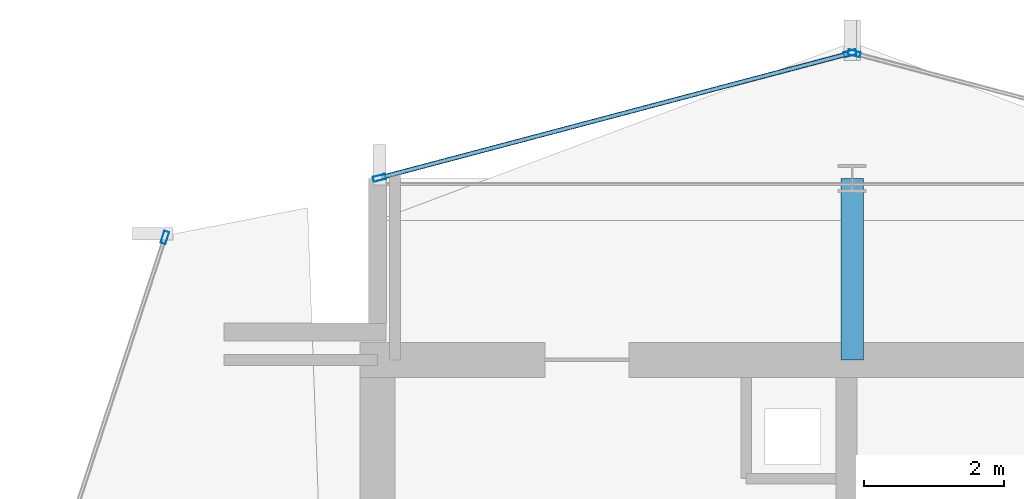
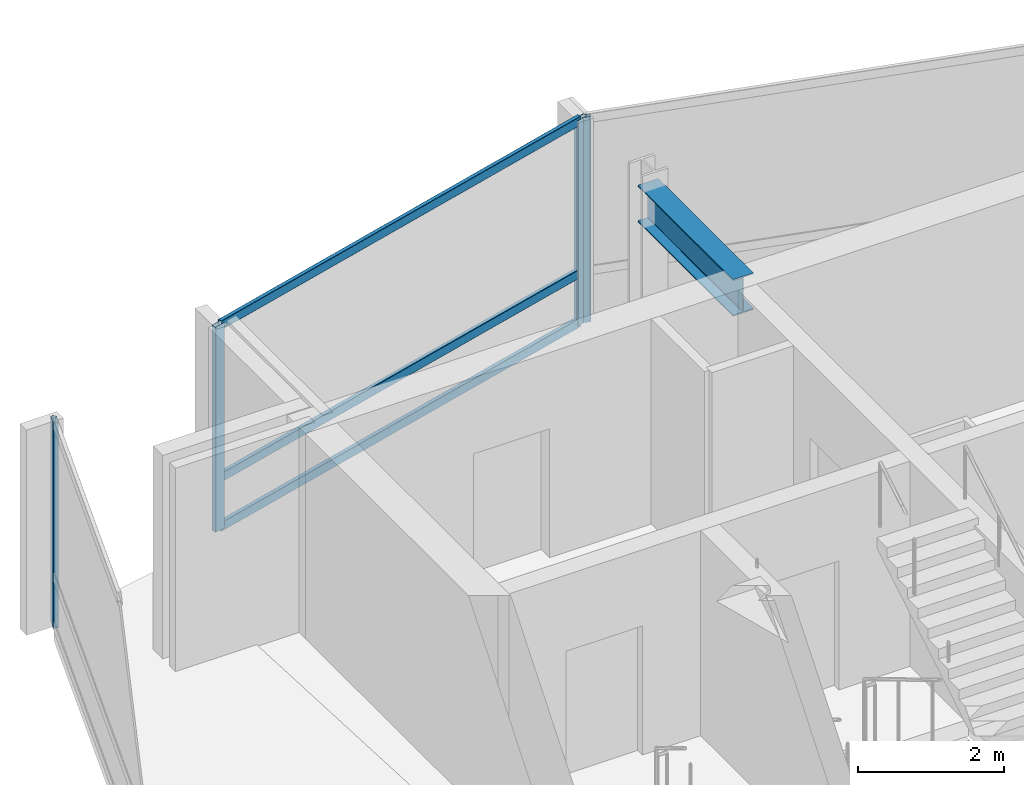
# One storey, part 16 of 28: 7 members, 1 beam, 3 elements without a shape of their own.
"""IFC4 building model written with IfcOpenShell, lengths in metres."""

import ifcopenshell
import ifcopenshell.guid

model = None  # the IFC model being written
_history = None  # IfcOwnerHistory: only IFC2X3 demands one
_inside = {}  # id of a spatial element -> (the spatial element, [elements in it])
_under = {}  # id of a project, library or spatial element -> (it, [spatial elements below it])
_declared = {}  # id of a project -> (the project, [libraries it declares])
_typed = {}  # id of a type object -> (the type object, [elements of that type])
_made_of = {}  # id of a material, layer set ... -> (it, [elements and type objects made of it])


def new_model(schema):
    """Start an empty IFC model of exactly this schema.

    Asked for "IFC4X3", IfcOpenShell would pick the latest addendum, in which some entities
    have other attributes; the version numbers below select the first issue.
    IFC2X3 requires an IfcOwnerHistory on every rooted entity: one is made here for all.
    """
    global model, _history
    if schema == "IFC4X3":
        model = ifcopenshell.file(schema_version=(4, 3, 0, 0))
    else:
        model = ifcopenshell.file(schema=schema)
    _inside.clear()
    _under.clear()
    _declared.clear()
    _typed.clear()
    _made_of.clear()
    _history = None
    if model.schema == "IFC2X3":
        org = make("IfcOrganization", Name="unknown")
        user = make(
            "IfcPersonAndOrganization",
            ThePerson=make("IfcPerson", FamilyName="unknown"),
            TheOrganization=org,
        )
        app = make(
            "IfcApplication",
            ApplicationDeveloper=org,
            Version="unknown",
            ApplicationFullName="unknown",
            ApplicationIdentifier="unknown",
        )
        _history = make(
            "IfcOwnerHistory",
            OwningUser=user,
            OwningApplication=app,
            ChangeAction="ADDED",
            CreationDate=0,
        )
    return model


def make(cls, **values):
    """One entity of the class cls with the attributes given. An attribute that is None is left unset."""
    return model.create_entity(
        cls, **{name: value for name, value in values.items() if value is not None}
    )


def rooted(cls, **values):
    """An entity with a GlobalId (a new one), such as an element, a storey or a relation."""
    return make(cls, GlobalId=ifcopenshell.guid.new(), OwnerHistory=_history, **values)


def si_unit(unit_type, name, prefix=None):
    """IfcSIUnit, for example si_unit("LENGTHUNIT", "METRE", prefix="MILLI")."""
    return make("IfcSIUnit", UnitType=unit_type, Prefix=prefix, Name=name)


def assignment(units):
    """IfcUnitAssignment: the units of a project."""
    return None if units is None else make("IfcUnitAssignment", Units=units)


def point(xyz):
    """IfcCartesianPoint."""
    return None if xyz is None else make("IfcCartesianPoint", Coordinates=xyz)


def direction(xyz):
    """IfcDirection."""
    return None if xyz is None else make("IfcDirection", DirectionRatios=xyz)


def frame(location, z_axis=None, x_axis=None):
    """IfcAxis2Placement3D, a coordinate frame: its origin and axes. An axis left out is left unset."""
    return make(
        "IfcAxis2Placement3D",
        Location=point(location),
        Axis=direction(z_axis),
        RefDirection=direction(x_axis),
    )


def frame_2d(location, x_axis=None):
    """IfcAxis2Placement2D, a coordinate frame in the plane: its origin and x axis."""
    return make(
        "IfcAxis2Placement2D", Location=point(location), RefDirection=direction(x_axis)
    )


def origin():
    """The frame at (0, 0, 0) with its axes left unset."""
    return frame((0.0, 0.0, 0.0))


def origin_2d():
    """The frame at (0, 0) in the plane with its x axis left unset."""
    return frame_2d((0.0, 0.0))


def place(relative_to, where):
    """IfcLocalPlacement: puts the frame where relative to a parent placement (None: the world)."""
    return make(
        "IfcLocalPlacement", PlacementRelTo=relative_to, RelativePlacement=where
    )


def context(
    kind, dimensions, precision=None, world=None, true_north=None, identifier=None
):
    """IfcGeometricRepresentationContext, for example the 3D "Model" context."""
    return make(
        "IfcGeometricRepresentationContext",
        ContextIdentifier=identifier,
        ContextType=kind,
        CoordinateSpaceDimension=dimensions,
        Precision=precision,
        WorldCoordinateSystem=world,
        TrueNorth=true_north,
    )


def subcontext(parent, identifier, kind, view, scale=None):
    """IfcGeometricRepresentationSubContext, for example "Body" below "Model"."""
    return make(
        "IfcGeometricRepresentationSubContext",
        ContextIdentifier=identifier,
        ContextType=kind,
        ParentContext=parent,
        TargetScale=scale,
        TargetView=view,
    )


def project(units=None, contexts=None):
    """IfcProject with its units and contexts."""
    return rooted(
        "IfcProject",
        Name="project",
        RepresentationContexts=contexts,
        UnitsInContext=assignment(units),
    )


def spatial(cls, under=None, at=None, **own):
    """A site, building, storey or space (cls), placed at a placement, below another one or the project."""
    s = rooted(cls, ObjectPlacement=at, **own)
    if under is not None:
        _under.setdefault(under.id(), (under, []))[1].append(s)
    return s


def profile(cls, at=None, kind="AREA", **sizes):
    """A parametric profile (cls). Its sizes go by their IFC names, for example OverallWidth=200.0."""
    return make(cls, ProfileType=kind, Position=at, **sizes)


def hollow_rectangle(**sizes):
    """IfcRectangleHollowProfileDef."""
    return profile("IfcRectangleHollowProfileDef", **sizes)


def i_section(**sizes):
    """IfcIShapeProfileDef."""
    return profile("IfcIShapeProfileDef", **sizes)


def extrude(swept, where, along, depth):
    """IfcExtrudedAreaSolid: the profile swept, set in the frame where, extruded along a direction by depth."""
    return make(
        "IfcExtrudedAreaSolid",
        SweptArea=swept,
        Position=where,
        ExtrudedDirection=direction(along),
        Depth=depth,
    )


def shape(context_of_items, identifier, shape_type, items):
    """IfcShapeRepresentation: the items that make up one representation, for example the "Body"."""
    return make(
        "IfcShapeRepresentation",
        ContextOfItems=context_of_items,
        RepresentationIdentifier=identifier,
        RepresentationType=shape_type,
        Items=items,
    )


def material(Name=None, Category=None):
    """IfcMaterial."""
    return make("IfcMaterial", Name=Name, Category=Category)


def layer(
    of_material, thickness, ventilated=None, Name=None, Category=None, Priority=None
):
    """IfcMaterialLayer: one layer of a wall or slab, of a material (None: an air gap)."""
    return make(
        "IfcMaterialLayer",
        Material=of_material,
        LayerThickness=thickness,
        IsVentilated=ventilated,
        Name=Name,
        Category=Category,
        Priority=Priority,
    )


def layer_set(layers, Name=None):
    """IfcMaterialLayerSet."""
    return make("IfcMaterialLayerSet", MaterialLayers=layers, LayerSetName=Name)


def material_profile(
    of_material, cross_section, Name=None, Category=None, Priority=None
):
    """IfcMaterialProfile: a cross section and its material."""
    return make(
        "IfcMaterialProfile",
        Name=Name,
        Material=of_material,
        Profile=cross_section,
        Priority=Priority,
        Category=Category,
    )


def profile_set(profiles, Name=None, composite=None):
    """IfcMaterialProfileSet."""
    return make(
        "IfcMaterialProfileSet",
        Name=Name,
        MaterialProfiles=profiles,
        CompositeProfile=composite,
    )


def made_of(thing, what):
    """Note that an element or type object is made of a material, layer set ...; save() writes the relation."""
    if what is not None:
        _made_of.setdefault(what.id(), (what, []))[1].append(thing)
    return thing


def type_object(cls, material=None, **own):
    """A type object (cls), such as IfcWallType, which elements share."""
    return made_of(rooted(cls, **own), material)


def element(
    cls,
    number,
    at=None,
    inside=None,
    cuts=None,
    type_object=None,
    material=None,
    context=None,
    identifier="Body",
    shape_type=None,
    held_by="IfcProductDefinitionShape",
    body=None,
    shapes=None,
    **own,
):
    """One element of the class cls, such as IfcWall. Its Tag is "e" and its number.

    at: its placement. inside: the storey or other place that contains it. cuts: it is an
    opening in that element (IfcRelVoidsElement). A single representation is given by context,
    identifier, shape_type and body (its items); several are given by shapes. held_by: the class
    of the entity that holds the representations. save() writes the other relations.
    """
    e = rooted(cls, Tag="e%d" % number, ObjectPlacement=at, **own)
    if body is not None:
        shapes = [shape(context, identifier, shape_type, body)]
    if shapes is not None:
        e.Representation = make(held_by, Representations=shapes)
    if inside is not None:
        _inside.setdefault(inside.id(), (inside, []))[1].append(e)
    if cuts is not None:
        rooted(
            "IfcRelVoidsElement", RelatingBuildingElement=cuts, RelatedOpeningElement=e
        )
    if type_object is not None:
        _typed.setdefault(type_object.id(), (type_object, []))[1].append(e)
    return made_of(e, material)


def aggregate(whole, parts):
    """IfcRelAggregates: a whole, such as a stair, and the parts it consists of."""
    return rooted("IfcRelAggregates", RelatingObject=whole, RelatedObjects=parts)


def save(model, path):
    """Write the relations noted so far, then the file.

    IfcRelAggregates (storeys below a building ...), IfcRelContainedInSpatialStructure (elements
    in a storey), IfcRelDefinesByType, IfcRelAssociatesMaterial and IfcRelDeclares: one each for
    every whole, place, type object, material and project.
    """
    for whole, parts in _under.values():
        aggregate(whole, parts)
    for where, things in _inside.values():
        rooted(
            "IfcRelContainedInSpatialStructure",
            RelatedElements=things,
            RelatingStructure=where,
        )
    for kind, things in _typed.values():
        rooted("IfcRelDefinesByType", RelatedObjects=things, RelatingType=kind)
    for what, things in _made_of.values():
        rooted("IfcRelAssociatesMaterial", RelatedObjects=things, RelatingMaterial=what)
    for by, libraries in _declared.values():
        rooted("IfcRelDeclares", RelatingContext=by, RelatedDefinitions=libraries)
    model.write(path)


model = new_model("IFC4")

# Units and contexts
model_context = context("Model", 3, precision=1e-05, world=origin(), true_north=direction((0.0, 1.0)))
body_context = subcontext(model_context, "Body", "Model", "MODEL_VIEW")
ifc_project = project(units=[si_unit("LENGTHUNIT", "METRE"), si_unit("AREAUNIT", "SQUARE_METRE"), si_unit("VOLUMEUNIT", "CUBIC_METRE"), si_unit("PLANEANGLEUNIT", "RADIAN"), si_unit("MASSUNIT", "GRAM", prefix="KILO")], contexts=[model_context])

# Site, building, storey
site_placement = place(None, origin())
site = spatial("IfcSite", under=ifc_project, at=site_placement, CompositionType="ELEMENT")
building_placement = place(site_placement, origin())
building = spatial("IfcBuilding", under=site, at=building_placement, Name="Solvaryn Broadcast Tower", CompositionType="ELEMENT")
storey_placement = place(building_placement, frame((0.0, 0.0, 209.89990234375)))
storey = spatial("IfcBuildingStorey", under=building, at=storey_placement, Name="L52", CompositionType="ELEMENT", Elevation=209.89990234375)

# Beam
ifc_material_1 = material(Name="Steel ASTM A992 Grade 50", Category="steel")
ifc_material_profile_1 = material_profile(ifc_material_1, i_section(OverallWidth=0.323974609375, OverallDepth=0.611083984375, WebThickness=0.0126953125, FlangeThickness=0.01904296875, FilletRadius=0.014892578125, at=origin_2d()))
ifc_profile_set_1 = profile_set([ifc_material_profile_1], Name="Steel ASTM A992 Grade 50")
beam_type = type_object("IfcBeamType", Name="BM-B1-W24X104", PredefinedType="BEAM", material=ifc_profile_set_1)
beam_placement = place(storey_placement, frame((18.0, 42.39990234375, 3.114501953125), z_axis=(0.0, 1.0, 0.0), x_axis=(-1.0, 0.0, 0.0)))
element("IfcBeam", 1, at=beam_placement, inside=storey, type_object=beam_type, Name="L52 Core Tie Beam CTW3", PredefinedType="BEAM", context=body_context, shape_type="SweptSolid", body=[
    extrude(i_section(OverallWidth=0.323974609375, OverallDepth=0.611083984375, WebThickness=0.0126953125, FlangeThickness=0.01904296875, FilletRadius=0.014892578125, at=origin_2d()), origin(), (0.0, 0.0, 1.0), 2.60009765625),
])

# Curtain wall, member
ifc_material_2 = material(Name="Aluminium and Terracotta Unitised Curtain Wall", Category="masonry")
ifc_layer = layer(ifc_material_2, 0.199951171875)
ifc_layer_set = layer_set([ifc_layer], Name="CW-SYS2-LOWMID")
curtain_wall_type = type_object("IfcCurtainWallType", Name="CW-SYS2-LOWMID", PredefinedType="NOTDEFINED", material=ifc_layer_set)
curtain_wall_1_placement = place(storey_placement, origin())
curtain_wall_1 = element("IfcCurtainWall", 2, at=curtain_wall_1_placement, inside=storey, type_object=curtain_wall_type, Name="L52 Curtain Wall DR1", PredefinedType="NOTDEFINED")
ifc_material_3 = material(Name="Anodised Aluminium 6063-T6", Category="aluminium")
ifc_material_profile_2 = material_profile(ifc_material_3, hollow_rectangle(XDim=0.074951171875, YDim=0.179931640625, WallThickness=0.00390625, InnerFilletRadius=0.00390625, OuterFilletRadius=0.008056640625, at=origin_2d()))
ifc_profile_set_2 = profile_set([ifc_material_profile_2], Name="Anodised Aluminium 6063-T6")
member_type_1 = type_object("IfcMemberType", Name="CW-MUL-180", PredefinedType="MULLION", material=ifc_profile_set_2)
member_1_placement = place(storey_placement, frame((8.153564453125, 44.153564453125, 0.0), z_axis=(0.0, 0.0, 1.0), x_axis=(0.950226902099, -0.311558717623, 0.0)))
member_1 = element("IfcMember", 3, at=member_1_placement, type_object=member_type_1, Name="CWS2 mullion 1", PredefinedType="MULLION", context=body_context, shape_type="SweptSolid", body=[
    extrude(hollow_rectangle(XDim=0.074951171875, YDim=0.179931640625, WallThickness=0.00390625, InnerFilletRadius=0.00390625, OuterFilletRadius=0.008056640625, at=origin_2d()), origin(), (0.0, 0.0, 1.0), 3.420166015625),
])
aggregate(curtain_wall_1, [member_1])

curtain_wall_2_placement = place(storey_placement, origin())
curtain_wall_2 = element("IfcCurtainWall", 4, at=curtain_wall_2_placement, inside=storey, type_object=curtain_wall_type, Name="L52 Curtain Wall NT1", PredefinedType="NOTDEFINED")
member_2_placement = place(storey_placement, frame((18.029052734375, 46.792236328125, 0.0), z_axis=(0.0, 0.0, 1.0), x_axis=(-0.25589256031, -0.966705227863, 0.0)))
member_2 = element("IfcMember", 5, at=member_2_placement, type_object=member_type_1, Name="CWS2 mullion 2", PredefinedType="MULLION", context=body_context, shape_type="SweptSolid", body=[
    extrude(hollow_rectangle(XDim=0.074951171875, YDim=0.179931640625, WallThickness=0.00390625, InnerFilletRadius=0.00390625, OuterFilletRadius=0.008056640625, at=origin_2d()), origin(), (0.0, 0.0, 1.0), 3.420166015625),
])
aggregate(curtain_wall_2, [member_2])

# Curtain wall, members
curtain_wall_3_placement = place(storey_placement, origin())
curtain_wall_3 = element("IfcCurtainWall", 6, at=curtain_wall_3_placement, inside=storey, type_object=curtain_wall_type, Name="L52 Curtain Wall NT2", PredefinedType="NOTDEFINED")
member_3_placement = place(storey_placement, frame((17.970947265625, 46.792236328125, 0.0), z_axis=(0.0, 0.0, 1.0), x_axis=(0.25589256031, -0.966705227863, 0.0)))
member_3 = element("IfcMember", 7, at=member_3_placement, type_object=member_type_1, Name="CWS2 mullion 1", PredefinedType="MULLION", context=body_context, shape_type="SweptSolid", body=[
    extrude(hollow_rectangle(XDim=0.074951171875, YDim=0.179931640625, WallThickness=0.00390625, InnerFilletRadius=0.00390625, OuterFilletRadius=0.008056640625, at=origin_2d()), origin(), (0.0, 0.0, 1.0), 3.420166015625),
])
member_4_placement = place(storey_placement, frame((11.22900390625, 45.007568359375, 0.0), z_axis=(0.0, 0.0, 1.0), x_axis=(0.25589256031, -0.966705227863, 0.0)))
member_4 = element("IfcMember", 8, at=member_4_placement, type_object=member_type_1, Name="CWS2 mullion 2", PredefinedType="MULLION", context=body_context, shape_type="SweptSolid", body=[
    extrude(hollow_rectangle(XDim=0.074951171875, YDim=0.179931640625, WallThickness=0.00390625, InnerFilletRadius=0.00390625, OuterFilletRadius=0.008056640625, at=origin_2d()), origin(), (0.0, 0.0, 1.0), 3.420166015625),
])
ifc_material_4 = material(Name="Anodised Aluminium 6063-T6", Category="aluminium")
ifc_material_profile_3 = material_profile(ifc_material_4, hollow_rectangle(XDim=0.06494140625, YDim=0.14990234375, WallThickness=0.00390625, InnerFilletRadius=0.00390625, OuterFilletRadius=0.008056640625, at=origin_2d()))
ifc_profile_set_3 = profile_set([ifc_material_profile_3], Name="Anodised Aluminium 6063-T6")
member_type_2 = type_object("IfcMemberType", Name="CW-TRN-150", PredefinedType="USERDEFINED", material=ifc_profile_set_3)
member_5_placement = place(storey_placement, frame((17.94189453125, 46.78466796875, 0.030029296875), z_axis=(-0.966703943301, -0.255897413051, 0.0), x_axis=(0.255897413051, -0.966703943301, 0.0)))
member_5 = element("IfcMember", 9, at=member_5_placement, type_object=member_type_2, Name="CWS2 transom 1.1", ObjectType="TRANSOM", PredefinedType="USERDEFINED", context=body_context, shape_type="SweptSolid", body=[
    extrude(hollow_rectangle(XDim=0.06494140625, YDim=0.14990234375, WallThickness=0.00390625, InnerFilletRadius=0.00390625, OuterFilletRadius=0.008056640625, at=origin_2d()), origin(), (0.0, 0.0, 1.0), 6.9140625),
])
member_6_placement = place(storey_placement, frame((17.94189453125, 46.78466796875, 0.85009765625), z_axis=(-0.966703943301, -0.255897413051, 0.0), x_axis=(0.255897413051, -0.966703943301, 0.0)))
member_6 = element("IfcMember", 10, at=member_6_placement, type_object=member_type_2, Name="CWS2 transom 1.2", ObjectType="TRANSOM", PredefinedType="USERDEFINED", context=body_context, shape_type="SweptSolid", body=[
    extrude(hollow_rectangle(XDim=0.06494140625, YDim=0.14990234375, WallThickness=0.00390625, InnerFilletRadius=0.00390625, OuterFilletRadius=0.008056640625, at=origin_2d()), origin(), (0.0, 0.0, 1.0), 6.9140625),
])
member_7_placement = place(storey_placement, frame((17.94189453125, 46.78466796875, 3.39013671875), z_axis=(-0.966703943301, -0.255897413051, 0.0), x_axis=(0.255897413051, -0.966703943301, 0.0)))
member_7 = element("IfcMember", 11, at=member_7_placement, type_object=member_type_2, Name="CWS2 transom 1.3", ObjectType="TRANSOM", PredefinedType="USERDEFINED", context=body_context, shape_type="SweptSolid", body=[
    extrude(hollow_rectangle(XDim=0.06494140625, YDim=0.14990234375, WallThickness=0.00390625, InnerFilletRadius=0.00390625, OuterFilletRadius=0.008056640625, at=origin_2d()), origin(), (0.0, 0.0, 1.0), 6.9140625),
])
aggregate(curtain_wall_3, [member_3, member_4, member_5, member_6, member_7])

save(model, "model.ifc")
